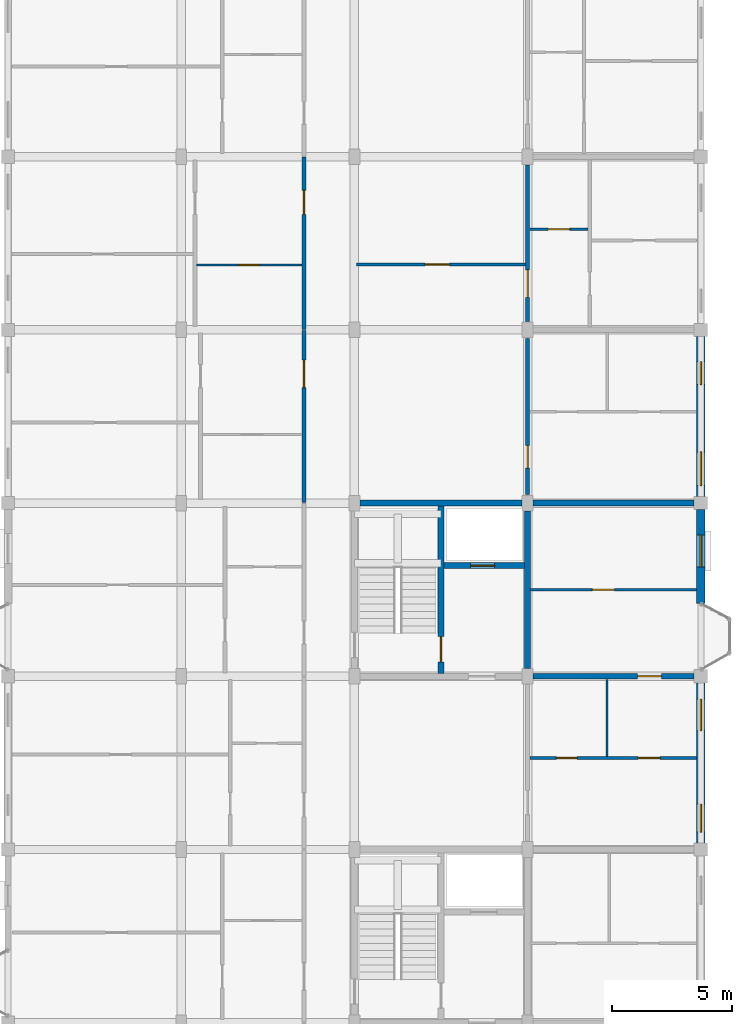
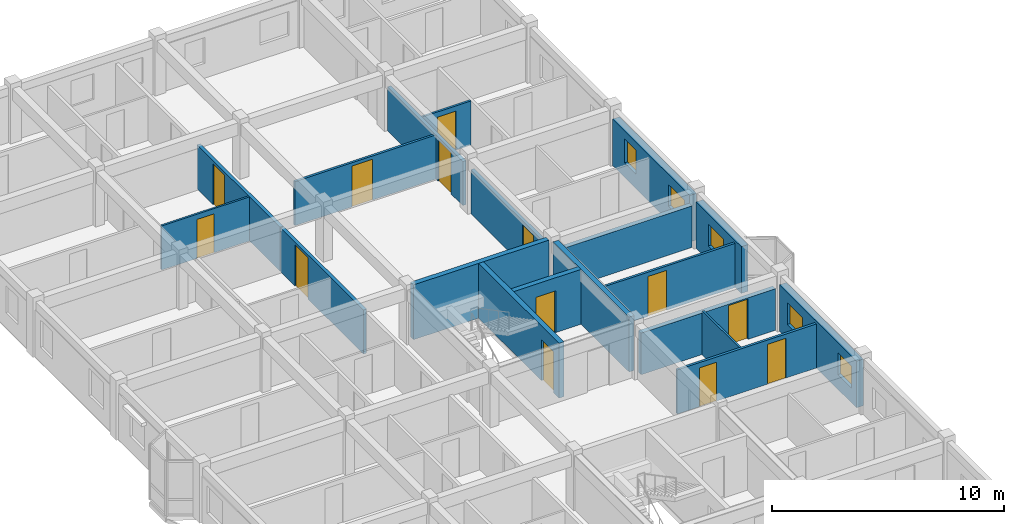
# One storey, part 63 of 77: 19 walls, 13 doors, 5 windows, 18 openings.
"""IFC4 building model written with IfcOpenShell, lengths in metres."""

from ifc_helpers import new_model, si_unit, direction, frame, frame_2d, origin, place, context, subcontext, project, spatial, rectangle, extrude, material, layer, layer_set, type_object, element, fill, save


model = new_model("IFC4")

# Units and contexts
model_context = context("Model", 3, precision=1e-05, world=origin(), true_north=direction((0.0, 1.0)))
body_context = subcontext(model_context, "Body", "Model", "MODEL_VIEW")
ifc_project = project(units=[si_unit("LENGTHUNIT", "METRE"), si_unit("AREAUNIT", "SQUARE_METRE"), si_unit("VOLUMEUNIT", "CUBIC_METRE"), si_unit("PLANEANGLEUNIT", "RADIAN"), si_unit("MASSUNIT", "GRAM", prefix="KILO"), si_unit("THERMODYNAMICTEMPERATUREUNIT", "KELVIN"), si_unit("POWERUNIT", "WATT")], contexts=[model_context])

# Site, building, storey
site_placement = place(None, origin())
site = spatial("IfcSite", under=ifc_project, at=site_placement, CompositionType="ELEMENT")
building_placement = place(site_placement, origin())
building = spatial("IfcBuilding", under=site, at=building_placement, Name="Tavuni Mirador Residences", CompositionType="ELEMENT")
storey_placement = place(building_placement, frame((0.0, 0.0, 17.10009765625)))
storey = spatial("IfcBuildingStorey", under=building, at=storey_placement, Name="L05", CompositionType="ELEMENT", Elevation=17.10009765625)

# Walls
ifc_material_1 = material(Name="Precast concrete C40/50", Category="concrete")
ifc_layer_1 = layer(ifc_material_1, 0.25, Name="Precast concrete C40/50", Category="concrete")
ifc_layer_set_1 = layer_set([ifc_layer_1], Name="Precast concrete C40/50")
wall_type_1 = type_object("IfcWallType", Name="WT-COR250", PredefinedType="SHEAR", material=ifc_layer_set_1)
wall_1_placement = place(storey_placement, frame((104.625, 115.199951171875, 0.0), z_axis=(0.0, 0.0, 1.0), x_axis=(1.0, 0.0, 0.0)))
element("IfcWall", 1, at=wall_1_placement, inside=storey, type_object=wall_type_1, Name="CWALL-C8-L05-N", PredefinedType="SHEAR", context=body_context, shape_type="SweptSolid", body=[
    extrude(rectangle(XDim=6.75, YDim=0.25, at=frame_2d((3.375, 0.0))), origin(), (0.0, 0.0, 1.0), 2.889892578125),
])
wall_2_placement = place(storey_placement, frame((111.60009765625, 108.324951171875, 0.0), z_axis=(0.0, 0.0, 1.0), x_axis=(0.0, 1.0, 0.0)))
element("IfcWall", 2, at=wall_2_placement, inside=storey, type_object=wall_type_1, Name="CWALL-C8-L05-E", PredefinedType="SHEAR", context=body_context, shape_type="SweptSolid", body=[
    extrude(rectangle(XDim=6.550048828125, YDim=0.25, at=frame_2d((3.27490234375, 0.0))), origin(), (0.0, 0.0, 1.0), 2.889892578125),
])

# Wall, opening, door
wall_3_placement = place(storey_placement, frame((108.0, 108.125, 0.0), z_axis=(0.0, 0.0, 1.0), x_axis=(0.0, 1.0, 0.0)))
wall_3 = element("IfcWall", 3, at=wall_3_placement, inside=storey, type_object=wall_type_1, Name="CWALL-C8-L05-MID", PredefinedType="SHEAR", context=body_context, shape_type="SweptSolid", body=[
    extrude(rectangle(XDim=6.949951171875, YDim=0.25, at=frame_2d((3.47509765625, 0.0))), origin(), (0.0, 0.0, 1.0), 2.889892578125),
])
opening_1_placement = place(wall_3_placement, frame((0.47509765625, 0.0, 0.0)))
opening_1 = element("IfcOpeningElement", 4, at=opening_1_placement, cuts=wall_3, Name="Opening D-01", PredefinedType="OPENING", context=body_context, shape_type="SweptSolid", body=[
    extrude(rectangle(XDim=1.050048828125, YDim=2.14990234375, at=frame_2d((0.52490234375, 1.074951171875))), frame((0.0, 0.135009765625, 0.0), z_axis=(0.0, -1.0, 0.0), x_axis=(1.0, 0.0, 0.0)), (0.0, 0.0, 1.0), 0.27001953125),
])
ifc_material_2 = material(Name="Solid core iroko timber", Category="wood")
door_type_1 = type_object("IfcDoorType", Name="DT-ST1050", OperationType="NOTDEFINED", PredefinedType="DOOR", material=ifc_material_2)
door_1_placement = place(opening_1_placement, origin())
door_1 = element("IfcDoor", 5, at=door_1_placement, inside=storey, type_object=door_type_1, Name="DR-2335", OperationType="SINGLE_SWING_LEFT", OverallHeight=2.14990234375, OverallWidth=1.050048828125, PredefinedType="DOOR", context=body_context, shape_type="SweptSolid", body=[
    extrude(rectangle(XDim=1.050048828125, YDim=2.14990234375, at=frame_2d((0.52490234375, 1.074951171875))), frame((0.0, 0.02490234375, 0.0), z_axis=(0.0, -1.0, 0.0), x_axis=(1.0, 0.0, 0.0)), (0.0, 0.0, 1.0), 0.050048828125),
])
fill(opening_1, door_1)

wall_4_placement = place(storey_placement, frame((108.125, 112.60009765625, 0.0), z_axis=(0.0, 0.0, 1.0), x_axis=(1.0, 0.0, 0.0)))
wall_4 = element("IfcWall", 6, at=wall_4_placement, inside=storey, type_object=wall_type_1, Name="CWALL-C8-L05-SHF", PredefinedType="SHEAR", context=body_context, shape_type="SweptSolid", body=[
    extrude(rectangle(XDim=3.35009765625, YDim=0.25, at=frame_2d((1.675048828125, 0.0))), origin(), (0.0, 0.0, 1.0), 2.889892578125),
])
opening_2_placement = place(wall_4_placement, frame((1.10009765625, 0.0, 0.0)))
opening_2 = element("IfcOpeningElement", 7, at=opening_2_placement, cuts=wall_4, Name="Opening LD-02", PredefinedType="OPENING", context=body_context, shape_type="SweptSolid", body=[
    extrude(rectangle(XDim=1.0, YDim=2.199951171875, at=frame_2d((0.5, 1.10009765625))), frame((0.0, 0.135009765625, 0.0), z_axis=(0.0, -1.0, 0.0), x_axis=(1.0, 0.0, 0.0)), (0.0, 0.0, 1.0), 0.27001953125),
])
ifc_material_3 = material(Name="Structural steel S355", Category="steel")
door_type_2 = type_object("IfcDoorType", Name="DT-LD-PAX", OperationType="SLIDING_TO_LEFT", PredefinedType="DOOR", material=ifc_material_3)
door_2_placement = place(opening_2_placement, origin())
door_2 = element("IfcDoor", 8, at=door_2_placement, inside=storey, type_object=door_type_2, Name="Lift landing door PL-D1 L05", OperationType="SLIDING_TO_LEFT", OverallHeight=2.199951171875, OverallWidth=1.0, PredefinedType="DOOR", context=body_context, shape_type="SweptSolid", body=[
    extrude(rectangle(XDim=1.0, YDim=2.199951171875, at=frame_2d((0.5, 1.10009765625))), frame((0.0, 0.02490234375, 0.0), z_axis=(0.0, -1.0, 0.0), x_axis=(1.0, 0.0, 0.0)), (0.0, 0.0, 1.0), 0.050048828125),
])
fill(opening_2, door_2)

ifc_layer_2 = layer(ifc_material_1, 0.1650390625, Name="Precast concrete C40/50", Category="concrete")
ifc_layer_set_2 = layer_set([ifc_layer_2], Name="Precast concrete C40/50")
wall_type_2 = type_object("IfcWallType", Name="WT-CORR165", PredefinedType="PARTITIONING", material=ifc_layer_set_2)
wall_5_placement = place(storey_placement, frame((102.300048828125, 115.219970703125, 0.0), z_axis=(0.0, 0.0, 1.0), x_axis=(0.0, 1.0, 0.0)))
wall_5 = element("IfcWall", 9, at=wall_5_placement, inside=storey, type_object=wall_type_2, Name="CORW-BLK-D-L05-0-04", PredefinedType="PARTITIONING", context=body_context, shape_type="SweptSolid", body=[
    extrude(rectangle(XDim=7.159912109375, YDim=0.1650390625, at=frame_2d((3.580078125, 0.0))), origin(), (0.0, 0.0, 1.0), 2.324951171875),
])
opening_3_placement = place(wall_5_placement, frame((4.780029296875, 0.0, 0.0)))
opening_3 = element("IfcOpeningElement", 10, at=opening_3_placement, cuts=wall_5, Name="Opening D-20", PredefinedType="OPENING", context=body_context, shape_type="SweptSolid", body=[
    extrude(rectangle(XDim=1.139892578125, YDim=2.179931640625, at=frame_2d((0.56982421875, 1.08984375))), frame((0.0, 0.092529296875, 0.0), z_axis=(0.0, -1.0, 0.0), x_axis=(1.0, 0.0, 0.0)), (0.0, 0.0, 1.0), 0.18505859375),
])
door_type_3 = type_object("IfcDoorType", Name="DT-FD60-1140", OperationType="NOTDEFINED", PredefinedType="DOOR", material=ifc_material_2)
door_3_placement = place(opening_3_placement, origin())
door_3 = element("IfcDoor", 11, at=door_3_placement, inside=storey, type_object=door_type_3, Name="DR-2873", OperationType="SINGLE_SWING_RIGHT", OverallHeight=2.179931640625, OverallWidth=1.139892578125, PredefinedType="DOOR", context=body_context, shape_type="SweptSolid", body=[
    extrude(rectangle(XDim=1.139892578125, YDim=2.179931640625, at=frame_2d((0.56982421875, 1.08984375))), frame((0.0, 0.02490234375, 0.0), z_axis=(0.0, -1.0, 0.0), x_axis=(1.0, 0.0, 0.0)), (0.0, 0.0, 1.0), 0.050048828125),
])
fill(opening_3, door_3)

wall_6_placement = place(storey_placement, frame((102.300048828125, 122.419921875, 0.0), z_axis=(0.0, 0.0, 1.0), x_axis=(0.0, 1.0, 0.0)))
wall_6 = element("IfcWall", 12, at=wall_6_placement, inside=storey, type_object=wall_type_2, Name="CORW-BLK-D-L05-0-05", PredefinedType="PARTITIONING", context=body_context, shape_type="SweptSolid", body=[
    extrude(rectangle(XDim=7.16015625, YDim=0.1650390625, at=frame_2d((3.580078125, 0.0))), origin(), (0.0, 0.0, 1.0), 2.324951171875),
])
opening_4_placement = place(wall_6_placement, frame((4.780029296875, 0.0, 0.0)))
opening_4 = element("IfcOpeningElement", 13, at=opening_4_placement, cuts=wall_6, Name="Opening D-03", PredefinedType="OPENING", context=body_context, shape_type="SweptSolid", body=[
    extrude(rectangle(XDim=1.0, YDim=2.14990234375, at=frame_2d((0.5, 1.074951171875))), frame((0.0, 0.092529296875, 0.0), z_axis=(0.0, -1.0, 0.0), x_axis=(1.0, 0.0, 0.0)), (0.0, 0.0, 1.0), 0.18505859375),
])
door_type_4 = type_object("IfcDoorType", Name="DT-FD60-1000", OperationType="NOTDEFINED", PredefinedType="DOOR", material=ifc_material_2)
door_4_placement = place(opening_4_placement, origin())
door_4 = element("IfcDoor", 14, at=door_4_placement, inside=storey, type_object=door_type_4, Name="DR-2874", OperationType="SINGLE_SWING_LEFT", OverallHeight=2.14990234375, OverallWidth=1.0, PredefinedType="DOOR", context=body_context, shape_type="SweptSolid", body=[
    extrude(rectangle(XDim=1.0, YDim=2.14990234375, at=frame_2d((0.5, 1.074951171875))), frame((0.0, 0.02490234375, 0.0), z_axis=(0.0, -1.0, 0.0), x_axis=(1.0, 0.0, 0.0)), (0.0, 0.0, 1.0), 0.050048828125),
])
fill(opening_4, door_4)

wall_7_placement = place(storey_placement, frame((111.60009765625, 115.550048828125, 0.0), z_axis=(0.0, 0.0, 1.0), x_axis=(0.0, 1.0, 0.0)))
wall_7 = element("IfcWall", 15, at=wall_7_placement, inside=storey, type_object=wall_type_2, Name="CORW-BLK-D-L05-1-04", PredefinedType="PARTITIONING", context=body_context, shape_type="SweptSolid", body=[
    extrude(rectangle(XDim=6.5, YDim=0.1650390625, at=frame_2d((3.25, 0.0))), origin(), (0.0, 0.0, 1.0), 2.324951171875),
])
opening_5_placement = place(wall_7_placement, frame((1.10009765625, 0.0, 0.0)))
opening_5 = element("IfcOpeningElement", 16, at=opening_5_placement, cuts=wall_7, Name="Opening D-19", PredefinedType="OPENING", context=body_context, shape_type="SweptSolid", body=[
    extrude(rectangle(XDim=0.93994140625, YDim=2.1201171875, at=frame_2d((0.469970703125, 1.06005859375))), frame((0.0, 0.092529296875, 0.0), z_axis=(0.0, -1.0, 0.0), x_axis=(1.0, 0.0, 0.0)), (0.0, 0.0, 1.0), 0.18505859375),
])
door_type_5 = type_object("IfcDoorType", Name="DT-FD60-940", OperationType="NOTDEFINED", PredefinedType="DOOR", material=ifc_material_2)
door_5_placement = place(opening_5_placement, origin())
door_5 = element("IfcDoor", 17, at=door_5_placement, inside=storey, type_object=door_type_5, Name="DR-2878", OperationType="SINGLE_SWING_LEFT", OverallHeight=2.1201171875, OverallWidth=0.93994140625, PredefinedType="DOOR", context=body_context, shape_type="SweptSolid", body=[
    extrude(rectangle(XDim=0.93994140625, YDim=2.1201171875, at=frame_2d((0.469970703125, 1.06005859375))), frame((0.0, 0.02490234375, 0.0), z_axis=(0.0, -1.0, 0.0), x_axis=(1.0, 0.0, 0.0)), (0.0, 0.0, 1.0), 0.050048828125),
])
fill(opening_5, door_5)

wall_8_placement = place(storey_placement, frame((111.60009765625, 122.75, 0.0), z_axis=(0.0, 0.0, 1.0), x_axis=(0.0, 1.0, 0.0)))
wall_8 = element("IfcWall", 18, at=wall_8_placement, inside=storey, type_object=wall_type_2, Name="CORW-BLK-D-L05-1-05", PredefinedType="PARTITIONING", context=body_context, shape_type="SweptSolid", body=[
    extrude(rectangle(XDim=6.5, YDim=0.1650390625, at=frame_2d((3.25, 0.0))), origin(), (0.0, 0.0, 1.0), 2.324951171875),
])
opening_6_placement = place(wall_8_placement, frame((1.0, 0.0, 0.0)))
opening_6 = element("IfcOpeningElement", 19, at=opening_6_placement, cuts=wall_8, Name="Opening D-20", PredefinedType="OPENING", context=body_context, shape_type="SweptSolid", body=[
    extrude(rectangle(XDim=1.139892578125, YDim=2.179931640625, at=frame_2d((0.56982421875, 1.08984375))), frame((0.0, 0.092529296875, 0.0), z_axis=(0.0, -1.0, 0.0), x_axis=(1.0, 0.0, 0.0)), (0.0, 0.0, 1.0), 0.18505859375),
])
door_6_placement = place(opening_6_placement, origin())
door_6 = element("IfcDoor", 20, at=door_6_placement, inside=storey, type_object=door_type_3, Name="DR-2879", OperationType="SINGLE_SWING_RIGHT", OverallHeight=2.179931640625, OverallWidth=1.139892578125, PredefinedType="DOOR", context=body_context, shape_type="SweptSolid", body=[
    extrude(rectangle(XDim=1.139892578125, YDim=2.179931640625, at=frame_2d((0.56982421875, 1.08984375))), frame((0.0, 0.02490234375, 0.0), z_axis=(0.0, -1.0, 0.0), x_axis=(1.0, 0.0, 0.0)), (0.0, 0.0, 1.0), 0.050048828125),
])
fill(opening_6, door_6)

# Wall, openings, windows
ifc_material_4 = material(Name="Sgraffito lime-rendered precast concrete C40/50", Category="concrete")
ifc_layer_3 = layer(ifc_material_4, 0.344970703125, Name="Sgraffito lime-rendered precast concrete C40/50", Category="concrete")
ifc_layer_set_3 = layer_set([ifc_layer_3], Name="Sgraffito lime-rendered precast concrete C40/50")
wall_type_3 = type_object("IfcWallType", Name="WT-EXT-PTY345", PredefinedType="SOLIDWALL", material=ifc_layer_set_3)
wall_9_placement = place(storey_placement, frame((118.800048828125, 101.074951171875, 0.0), z_axis=(0.0, 0.0, 1.0), x_axis=(0.0, 1.0, 0.0)))
wall_9 = element("IfcWall", 21, at=wall_9_placement, inside=storey, type_object=wall_type_3, Name="EW-BLK-D-L05-E02", PredefinedType="SOLIDWALL", context=body_context, shape_type="SweptSolid", body=[
    extrude(rectangle(XDim=6.650146484375, YDim=0.344970703125, at=frame_2d((3.3251953125, 0.0))), origin(), (0.0, 0.0, 1.0), 2.4599609375),
])
opening_7_placement = place(wall_9_placement, frame((0.449951171875, 0.0, 0.780029296875)))
opening_7 = element("IfcOpeningElement", 22, at=opening_7_placement, cuts=wall_9, Name="Opening WN-05", PredefinedType="OPENING", context=body_context, shape_type="SweptSolid", body=[
    extrude(rectangle(XDim=1.159912109375, YDim=1.14990234375, at=frame_2d((0.580078125, 0.574951171875))), frame((0.0, 0.1826171875, 0.0), z_axis=(0.0, -1.0, 0.0), x_axis=(1.0, 0.0, 0.0)), (0.0, 0.0, 1.0), 0.364990234375),
])
opening_8_placement = place(wall_9_placement, frame((4.64990234375, 0.0, 0.780029296875)))
opening_8 = element("IfcOpeningElement", 23, at=opening_8_placement, cuts=wall_9, Name="Opening WN-07", PredefinedType="OPENING", context=body_context, shape_type="SweptSolid", body=[
    extrude(rectangle(XDim=1.320068359375, YDim=1.14990234375, at=frame_2d((0.66015625, 0.574951171875))), frame((0.0, 0.1826171875, 0.0), z_axis=(0.0, -1.0, 0.0), x_axis=(1.0, 0.0, 0.0)), (0.0, 0.0, 1.0), 0.364990234375),
])
ifc_material_5 = material(Name="Laminated solar-control glass", Category="glass")
window_type_1 = type_object("IfcWindowType", Name="WNT-05", PartitioningType="SINGLE_PANEL", PredefinedType="WINDOW", material=ifc_material_5)
window_1_placement = place(opening_7_placement, origin())
window_1 = element("IfcWindow", 24, at=window_1_placement, inside=storey, type_object=window_type_1, Name="WIN-1619", OverallHeight=1.14990234375, OverallWidth=1.159912109375, PartitioningType="SINGLE_PANEL", PredefinedType="WINDOW", context=body_context, shape_type="SweptSolid", body=[
    extrude(rectangle(XDim=1.159912109375, YDim=1.14990234375, at=frame_2d((0.580078125, 0.574951171875))), frame((0.0, 0.030029296875, 0.0), z_axis=(0.0, -1.0, 0.0), x_axis=(1.0, 0.0, 0.0)), (0.0, 0.0, 1.0), 0.06005859375),
])
fill(opening_7, window_1)
window_type_2 = type_object("IfcWindowType", Name="WNT-07", PartitioningType="SINGLE_PANEL", PredefinedType="WINDOW", material=ifc_material_5)
window_2_placement = place(opening_8_placement, origin())
window_2 = element("IfcWindow", 25, at=window_2_placement, inside=storey, type_object=window_type_2, Name="WIN-1620", OverallHeight=1.14990234375, OverallWidth=1.320068359375, PartitioningType="SINGLE_PANEL", PredefinedType="WINDOW", context=body_context, shape_type="SweptSolid", body=[
    extrude(rectangle(XDim=1.320068359375, YDim=1.14990234375, at=frame_2d((0.66015625, 0.574951171875))), frame((0.0, 0.030029296875, 0.0), z_axis=(0.0, -1.0, 0.0), x_axis=(1.0, 0.0, 0.0)), (0.0, 0.0, 1.0), 0.06005859375),
])
fill(opening_8, window_2)

# Wall, opening, window
wall_10_placement = place(storey_placement, frame((118.800048828125, 111.02001953125, 0.0), z_axis=(0.0, 0.0, 1.0), x_axis=(0.0, 1.0, 0.0)))
wall_10 = element("IfcWall", 26, at=wall_10_placement, inside=storey, type_object=wall_type_3, Name="EW-BLK-D-L05-E03", PredefinedType="SOLIDWALL", context=body_context, shape_type="SweptSolid", body=[
    extrude(rectangle(XDim=3.905029296875, YDim=0.344970703125, at=frame_2d((1.95263671875, 0.0))), origin(), (0.0, 0.0, 1.0), 2.4599609375),
])
opening_9_placement = place(wall_10_placement, frame((1.527587890625, 0.0, 0.780029296875)))
opening_9 = element("IfcOpeningElement", 27, at=opening_9_placement, cuts=wall_10, Name="Opening WN-07", PredefinedType="OPENING", context=body_context, shape_type="SweptSolid", body=[
    extrude(rectangle(XDim=1.320068359375, YDim=1.14990234375, at=frame_2d((0.66015625, 0.574951171875))), frame((0.0, 0.1826171875, 0.0), z_axis=(0.0, -1.0, 0.0), x_axis=(1.0, 0.0, 0.0)), (0.0, 0.0, 1.0), 0.364990234375),
])
window_3_placement = place(opening_9_placement, origin())
window_3 = element("IfcWindow", 28, at=window_3_placement, inside=storey, type_object=window_type_2, Name="WIN-1621", OverallHeight=1.14990234375, OverallWidth=1.320068359375, PartitioningType="SINGLE_PANEL", PredefinedType="WINDOW", context=body_context, shape_type="SweptSolid", body=[
    extrude(rectangle(XDim=1.320068359375, YDim=1.14990234375, at=frame_2d((0.66015625, 0.574951171875))), frame((0.0, 0.030029296875, 0.0), z_axis=(0.0, -1.0, 0.0), x_axis=(1.0, 0.0, 0.0)), (0.0, 0.0, 1.0), 0.06005859375),
])
fill(opening_9, window_3)

# Wall, openings, windows
wall_11_placement = place(storey_placement, frame((118.800048828125, 115.47509765625, 0.0), z_axis=(0.0, 0.0, 1.0), x_axis=(0.0, 1.0, 0.0)))
wall_11 = element("IfcWall", 29, at=wall_11_placement, inside=storey, type_object=wall_type_3, Name="EW-BLK-D-L05-E04", PredefinedType="SOLIDWALL", context=body_context, shape_type="SweptSolid", body=[
    extrude(rectangle(XDim=6.64990234375, YDim=0.344970703125, at=frame_2d((3.324951171875, 0.0))), origin(), (0.0, 0.0, 1.0), 2.4599609375),
])
opening_10_placement = place(wall_11_placement, frame((0.449951171875, 0.0, 0.780029296875)))
opening_10 = element("IfcOpeningElement", 30, at=opening_10_placement, cuts=wall_11, Name="Opening WN-08", PredefinedType="OPENING", context=body_context, shape_type="SweptSolid", body=[
    extrude(rectangle(XDim=1.39990234375, YDim=1.14990234375, at=frame_2d((0.699951171875, 0.574951171875))), frame((0.0, 0.1826171875, 0.0), z_axis=(0.0, -1.0, 0.0), x_axis=(1.0, 0.0, 0.0)), (0.0, 0.0, 1.0), 0.364990234375),
])
opening_11_placement = place(wall_11_placement, frame((4.64990234375, 0.0, 0.780029296875)))
opening_11 = element("IfcOpeningElement", 31, at=opening_11_placement, cuts=wall_11, Name="Opening WN-10", PredefinedType="OPENING", context=body_context, shape_type="SweptSolid", body=[
    extrude(rectangle(XDim=0.9599609375, YDim=1.260009765625, at=frame_2d((0.47998046875, 0.6298828125))), frame((0.0, 0.1826171875, 0.0), z_axis=(0.0, -1.0, 0.0), x_axis=(1.0, 0.0, 0.0)), (0.0, 0.0, 1.0), 0.364990234375),
])
window_type_3 = type_object("IfcWindowType", Name="WNT-08", PartitioningType="SINGLE_PANEL", PredefinedType="WINDOW", material=ifc_material_5)
window_4_placement = place(opening_10_placement, origin())
window_4 = element("IfcWindow", 32, at=window_4_placement, inside=storey, type_object=window_type_3, Name="WIN-1622", OverallHeight=1.14990234375, OverallWidth=1.39990234375, PartitioningType="SINGLE_PANEL", PredefinedType="WINDOW", context=body_context, shape_type="SweptSolid", body=[
    extrude(rectangle(XDim=1.39990234375, YDim=1.14990234375, at=frame_2d((0.699951171875, 0.574951171875))), frame((0.0, 0.030029296875, 0.0), z_axis=(0.0, -1.0, 0.0), x_axis=(1.0, 0.0, 0.0)), (0.0, 0.0, 1.0), 0.06005859375),
])
fill(opening_10, window_4)
window_type_4 = type_object("IfcWindowType", Name="WNT-10", PartitioningType="SINGLE_PANEL", PredefinedType="WINDOW", material=ifc_material_5)
window_5_placement = place(opening_11_placement, origin())
window_5 = element("IfcWindow", 33, at=window_5_placement, inside=storey, type_object=window_type_4, Name="WIN-1623", OverallHeight=1.260009765625, OverallWidth=0.9599609375, PartitioningType="SINGLE_PANEL", PredefinedType="WINDOW", context=body_context, shape_type="SweptSolid", body=[
    extrude(rectangle(XDim=0.9599609375, YDim=1.260009765625, at=frame_2d((0.47998046875, 0.6298828125))), frame((0.0, 0.030029296875, 0.0), z_axis=(0.0, -1.0, 0.0), x_axis=(1.0, 0.0, 0.0)), (0.0, 0.0, 1.0), 0.06005859375),
])
fill(opening_11, window_5)

# Wall
ifc_material_6 = material(Name="Acoustic gypsum and concrete block partition", Category="concrete")
ifc_layer_4 = layer(ifc_material_6, 0.094970703125, Name="Acoustic gypsum and concrete block partition", Category="concrete")
ifc_layer_set_4 = layer_set([ifc_layer_4], Name="Acoustic gypsum and concrete block partition")
wall_type_4 = type_object("IfcWallType", Name="WT-PART095", PredefinedType="PARTITIONING", material=ifc_layer_set_4)
wall_12_placement = place(storey_placement, frame((114.89990234375, 104.669921875, 0.0), z_axis=(0.0, 0.0, 1.0), x_axis=(0.0, 1.0, 0.0)))
element("IfcWall", 34, at=wall_12_placement, inside=storey, type_object=wall_type_4, Name="PW-BLK-D-L05-PF02-V", PredefinedType="PARTITIONING", context=body_context, shape_type="SweptSolid", body=[
    extrude(rectangle(XDim=3.190185546875, YDim=0.094970703125, at=frame_2d((1.59521484375, 0.0))), origin(), (0.0, 0.0, 1.0), 2.324951171875),
])

# Wall, opening, door
wall_13_placement = place(storey_placement, frame((97.840087890625, 125.10009765625, 0.0), z_axis=(0.0, 0.0, 1.0), x_axis=(1.0, 0.0, 0.0)))
wall_13 = element("IfcWall", 35, at=wall_13_placement, inside=storey, type_object=wall_type_4, Name="PW-BLK-D-L05-W05-IN1", PredefinedType="PARTITIONING", context=body_context, shape_type="SweptSolid", body=[
    extrude(rectangle(XDim=4.369873046875, YDim=0.094970703125, at=frame_2d((2.18505859375, 0.0))), origin(), (0.0, 0.0, 1.0), 2.324951171875),
])
opening_12_placement = place(wall_13_placement, frame((1.75, 0.0, 0.0)))
opening_12 = element("IfcOpeningElement", 36, at=opening_12_placement, cuts=wall_13, Name="Opening D-10", PredefinedType="OPENING", context=body_context, shape_type="SweptSolid", body=[
    extrude(rectangle(XDim=0.8701171875, YDim=2.050048828125, at=frame_2d((0.43505859375, 1.02490234375))), frame((0.0, 0.0576171875, 0.0), z_axis=(0.0, -1.0, 0.0), x_axis=(1.0, 0.0, 0.0)), (0.0, 0.0, 1.0), 0.114990234375),
])
door_type_6 = type_object("IfcDoorType", Name="DT-WC870", OperationType="NOTDEFINED", PredefinedType="DOOR", material=ifc_material_2)
door_7_placement = place(opening_12_placement, origin())
door_7 = element("IfcDoor", 37, at=door_7_placement, inside=storey, type_object=door_type_6, Name="DR-4498", OperationType="SINGLE_SWING_LEFT", OverallHeight=2.050048828125, OverallWidth=0.8701171875, PredefinedType="DOOR", context=body_context, shape_type="SweptSolid", body=[
    extrude(rectangle(XDim=0.8701171875, YDim=2.050048828125, at=frame_2d((0.43505859375, 1.02490234375))), frame((0.0, 0.02490234375, 0.0), z_axis=(0.0, -1.0, 0.0), x_axis=(1.0, 0.0, 0.0)), (0.0, 0.0, 1.0), 0.050048828125),
])
fill(opening_12, door_7)

ifc_layer_5 = layer(ifc_material_6, 0.10498046875, Name="Acoustic gypsum and concrete block partition", Category="concrete")
ifc_layer_set_5 = layer_set([ifc_layer_5], Name="Acoustic gypsum and concrete block partition")
wall_type_5 = type_object("IfcWallType", Name="WT-PART105", PredefinedType="PARTITIONING", material=ifc_layer_set_5)
wall_14_placement = place(storey_placement, frame((111.68994140625, 126.580078125, 0.0), z_axis=(0.0, 0.0, 1.0), x_axis=(1.0, 0.0, 0.0)))
wall_14 = element("IfcWall", 38, at=wall_14_placement, inside=storey, type_object=wall_type_5, Name="PW-BLK-D-L05-E05-IN1", PredefinedType="PARTITIONING", context=body_context, shape_type="SweptSolid", body=[
    extrude(rectangle(XDim=2.420166015625, YDim=0.10498046875, at=frame_2d((1.2099609375, 0.0))), origin(), (0.0, 0.0, 1.0), 2.324951171875),
])
opening_13_placement = place(wall_14_placement, frame((0.760009765625, 0.0, 0.0)))
opening_13 = element("IfcOpeningElement", 39, at=opening_13_placement, cuts=wall_14, Name="Opening D-09", PredefinedType="OPENING", context=body_context, shape_type="SweptSolid", body=[
    extrude(rectangle(XDim=0.89990234375, YDim=2.050048828125, at=frame_2d((0.449951171875, 1.02490234375))), frame((0.0, 0.0625, 0.0), z_axis=(0.0, -1.0, 0.0), x_axis=(1.0, 0.0, 0.0)), (0.0, 0.0, 1.0), 0.125),
])
door_type_7 = type_object("IfcDoorType", Name="DT-WC900", OperationType="NOTDEFINED", PredefinedType="DOOR", material=ifc_material_2)
door_8_placement = place(opening_13_placement, origin())
door_8 = element("IfcDoor", 40, at=door_8_placement, inside=storey, type_object=door_type_7, Name="DR-4501", OperationType="SINGLE_SWING_RIGHT", OverallHeight=2.050048828125, OverallWidth=0.89990234375, PredefinedType="DOOR", context=body_context, shape_type="SweptSolid", body=[
    extrude(rectangle(XDim=0.89990234375, YDim=2.050048828125, at=frame_2d((0.449951171875, 1.02490234375))), frame((0.0, 0.02490234375, 0.0), z_axis=(0.0, -1.0, 0.0), x_axis=(1.0, 0.0, 0.0)), (0.0, 0.0, 1.0), 0.050048828125),
])
fill(opening_13, door_8)

ifc_layer_6 = layer(ifc_material_6, 0.114990234375, Name="Acoustic gypsum and concrete block partition", Category="concrete")
ifc_layer_set_6 = layer_set([ifc_layer_6], Name="Acoustic gypsum and concrete block partition")
wall_type_6 = type_object("IfcWallType", Name="WT-PART115", PredefinedType="PARTITIONING", material=ifc_layer_set_6)
wall_15_placement = place(storey_placement, frame((111.68994140625, 111.60009765625, 0.0), z_axis=(0.0, 0.0, 1.0), x_axis=(1.0, 0.0, 0.0)))
wall_15 = element("IfcWall", 41, at=wall_15_placement, inside=storey, type_object=wall_type_6, Name="PW-BLK-D-L05-PF03-H", PredefinedType="PARTITIONING", context=body_context, shape_type="SweptSolid", body=[
    extrude(rectangle(XDim=6.93505859375, YDim=0.114990234375, at=frame_2d((3.467529296875, 0.0))), origin(), (0.0, 0.0, 1.0), 2.324951171875),
])
opening_14_placement = place(wall_15_placement, frame((2.60009765625, 0.0, 0.0)))
opening_14 = element("IfcOpeningElement", 42, at=opening_14_placement, cuts=wall_15, Name="Opening D-06", PredefinedType="OPENING", context=body_context, shape_type="SweptSolid", body=[
    extrude(rectangle(XDim=0.919921875, YDim=2.10009765625, at=frame_2d((0.4599609375, 1.050048828125))), frame((0.0, 0.0673828125, 0.0), z_axis=(0.0, -1.0, 0.0), x_axis=(1.0, 0.0, 0.0)), (0.0, 0.0, 1.0), 0.135009765625),
])
door_type_8 = type_object("IfcDoorType", Name="DT-INT920", OperationType="NOTDEFINED", PredefinedType="DOOR", material=ifc_material_2)
door_9_placement = place(opening_14_placement, origin())
door_9 = element("IfcDoor", 43, at=door_9_placement, inside=storey, type_object=door_type_8, Name="DR-4490", OperationType="SINGLE_SWING_RIGHT", OverallHeight=2.10009765625, OverallWidth=0.919921875, PredefinedType="DOOR", context=body_context, shape_type="SweptSolid", body=[
    extrude(rectangle(XDim=0.919921875, YDim=2.10009765625, at=frame_2d((0.4599609375, 1.050048828125))), frame((0.0, 0.02490234375, 0.0), z_axis=(0.0, -1.0, 0.0), x_axis=(1.0, 0.0, 0.0)), (0.0, 0.0, 1.0), 0.050048828125),
])
fill(opening_14, door_9)

wall_16_placement = place(storey_placement, frame((104.489990234375, 125.1201171875, 0.0), z_axis=(0.0, 0.0, 1.0), x_axis=(1.0, 0.0, 0.0)))
wall_16 = element("IfcWall", 44, at=wall_16_placement, inside=storey, type_object=wall_type_6, Name="PW-SPN-BLK-D-L05-05", PredefinedType="PARTITIONING", context=body_context, shape_type="SweptSolid", body=[
    extrude(rectangle(XDim=7.02001953125, YDim=0.114990234375, at=frame_2d((3.510009765625, 0.0))), origin(), (0.0, 0.0, 1.0), 2.324951171875),
])
opening_15_placement = place(wall_16_placement, frame((2.85009765625, 0.0, 0.0)))
opening_15 = element("IfcOpeningElement", 45, at=opening_15_placement, cuts=wall_16, Name="Opening D-13", PredefinedType="OPENING", context=body_context, shape_type="SweptSolid", body=[
    extrude(rectangle(XDim=1.02001953125, YDim=2.14990234375, at=frame_2d((0.510009765625, 1.074951171875))), frame((0.0, 0.0673828125, 0.0), z_axis=(0.0, -1.0, 0.0), x_axis=(1.0, 0.0, 0.0)), (0.0, 0.0, 1.0), 0.135009765625),
])
door_type_9 = type_object("IfcDoorType", Name="DT-MTG1020", OperationType="NOTDEFINED", PredefinedType="DOOR", material=ifc_material_2)
door_10_placement = place(opening_15_placement, origin())
door_10 = element("IfcDoor", 46, at=door_10_placement, inside=storey, type_object=door_type_9, Name="DR-4496", OperationType="SINGLE_SWING_LEFT", OverallHeight=2.14990234375, OverallWidth=1.02001953125, PredefinedType="DOOR", context=body_context, shape_type="SweptSolid", body=[
    extrude(rectangle(XDim=1.02001953125, YDim=2.14990234375, at=frame_2d((0.510009765625, 1.074951171875))), frame((0.0, 0.02490234375, 0.0), z_axis=(0.0, -1.0, 0.0), x_axis=(1.0, 0.0, 0.0)), (0.0, 0.0, 1.0), 0.050048828125),
])
fill(opening_15, door_10)

# Wall, openings, doors
ifc_layer_7 = layer(ifc_material_6, 0.125, Name="Acoustic gypsum and concrete block partition", Category="concrete")
ifc_layer_set_7 = layer_set([ifc_layer_7], Name="Acoustic gypsum and concrete block partition")
wall_type_7 = type_object("IfcWallType", Name="WT-PART125", PredefinedType="PARTITIONING", material=ifc_layer_set_7)
wall_17_placement = place(storey_placement, frame((111.68994140625, 104.60009765625, 0.0), z_axis=(0.0, 0.0, 1.0), x_axis=(1.0, 0.0, 0.0)))
wall_17 = element("IfcWall", 47, at=wall_17_placement, inside=storey, type_object=wall_type_7, Name="PW-BLK-D-L05-PF02-H", PredefinedType="PARTITIONING", context=body_context, shape_type="SweptSolid", body=[
    extrude(rectangle(XDim=6.93505859375, YDim=0.125, at=frame_2d((3.467529296875, 0.0))), origin(), (0.0, 0.0, 1.0), 2.324951171875),
])
opening_16_placement = place(wall_17_placement, frame((1.10009765625, 0.0, 0.0)))
opening_16 = element("IfcOpeningElement", 48, at=opening_16_placement, cuts=wall_17, Name="Opening D-10", PredefinedType="OPENING", context=body_context, shape_type="SweptSolid", body=[
    extrude(rectangle(XDim=0.8701171875, YDim=2.050048828125, at=frame_2d((0.43505859375, 1.02490234375))), frame((0.0, 0.072509765625, 0.0), z_axis=(0.0, -1.0, 0.0), x_axis=(1.0, 0.0, 0.0)), (0.0, 0.0, 1.0), 0.14501953125),
])
opening_17_placement = place(wall_17_placement, frame((4.5, 0.0, 0.0)))
opening_17 = element("IfcOpeningElement", 49, at=opening_17_placement, cuts=wall_17, Name="Opening D-06", PredefinedType="OPENING", context=body_context, shape_type="SweptSolid", body=[
    extrude(rectangle(XDim=0.919921875, YDim=2.10009765625, at=frame_2d((0.4599609375, 1.050048828125))), frame((0.0, 0.072509765625, 0.0), z_axis=(0.0, -1.0, 0.0), x_axis=(1.0, 0.0, 0.0)), (0.0, 0.0, 1.0), 0.14501953125),
])
door_11_placement = place(opening_17_placement, origin())
door_11 = element("IfcDoor", 50, at=door_11_placement, inside=storey, type_object=door_type_8, Name="DR-4486", OperationType="SINGLE_SWING_RIGHT", OverallHeight=2.10009765625, OverallWidth=0.919921875, PredefinedType="DOOR", context=body_context, shape_type="SweptSolid", body=[
    extrude(rectangle(XDim=0.919921875, YDim=2.10009765625, at=frame_2d((0.4599609375, 1.050048828125))), frame((0.0, 0.02490234375, 0.0), z_axis=(0.0, -1.0, 0.0), x_axis=(1.0, 0.0, 0.0)), (0.0, 0.0, 1.0), 0.050048828125),
])
fill(opening_17, door_11)
door_12_placement = place(opening_16_placement, origin())
door_12 = element("IfcDoor", 51, at=door_12_placement, inside=storey, type_object=door_type_6, Name="DR-4485", OperationType="SINGLE_SWING_LEFT", OverallHeight=2.050048828125, OverallWidth=0.8701171875, PredefinedType="DOOR", context=body_context, shape_type="SweptSolid", body=[
    extrude(rectangle(XDim=0.8701171875, YDim=2.050048828125, at=frame_2d((0.43505859375, 1.02490234375))), frame((0.0, 0.02490234375, 0.0), z_axis=(0.0, -1.0, 0.0), x_axis=(1.0, 0.0, 0.0)), (0.0, 0.0, 1.0), 0.050048828125),
])
fill(opening_16, door_12)

# Wall, opening, door
ifc_layer_8 = layer(ifc_material_1, 0.235107421875, Name="Precast concrete C40/50", Category="concrete")
ifc_layer_set_8 = layer_set([ifc_layer_8], Name="Precast concrete C40/50")
wall_type_8 = type_object("IfcWallType", Name="WT-XW235", PredefinedType="SOLIDWALL", material=ifc_layer_set_8)
wall_18_placement = place(storey_placement, frame((111.824951171875, 108.0, 0.0), z_axis=(0.0, 0.0, 1.0), x_axis=(1.0, 0.0, 0.0)))
wall_18 = element("IfcWall", 52, at=wall_18_placement, inside=storey, type_object=wall_type_8, Name="XW-BLK-D-L05-E-03", PredefinedType="SOLIDWALL", context=body_context, shape_type="SweptSolid", body=[
    extrude(rectangle(XDim=6.699951171875, YDim=0.235107421875, at=frame_2d((3.35009765625, 0.0))), origin(), (0.0, 0.0, 1.0), 2.18994140625),
])
opening_18_placement = place(wall_18_placement, frame((4.35009765625, 0.0, 0.0)))
opening_18 = element("IfcOpeningElement", 53, at=opening_18_placement, cuts=wall_18, Name="Opening D-04", PredefinedType="OPENING", context=body_context, shape_type="SweptSolid", body=[
    extrude(rectangle(XDim=0.97998046875, YDim=2.1201171875, at=frame_2d((0.489990234375, 1.06005859375))), frame((0.0, 0.12744140625, 0.0), z_axis=(0.0, -1.0, 0.0), x_axis=(1.0, 0.0, 0.0)), (0.0, 0.0, 1.0), 0.255126953125),
])
door_type_10 = type_object("IfcDoorType", Name="DT-FD60-980", OperationType="NOTDEFINED", PredefinedType="DOOR", material=ifc_material_2)
door_13_placement = place(opening_18_placement, origin())
door_13 = element("IfcDoor", 54, at=door_13_placement, inside=storey, type_object=door_type_10, Name="DR-4769", OperationType="SINGLE_SWING_RIGHT", OverallHeight=2.1201171875, OverallWidth=0.97998046875, PredefinedType="DOOR", context=body_context, shape_type="SweptSolid", body=[
    extrude(rectangle(XDim=0.97998046875, YDim=2.1201171875, at=frame_2d((0.489990234375, 1.06005859375))), frame((0.0, 0.02490234375, 0.0), z_axis=(0.0, -1.0, 0.0), x_axis=(1.0, 0.0, 0.0)), (0.0, 0.0, 1.0), 0.050048828125),
])
fill(opening_18, door_13)

# Wall
wall_19_placement = place(storey_placement, frame((111.824951171875, 115.199951171875, 0.0), z_axis=(0.0, 0.0, 1.0), x_axis=(1.0, 0.0, 0.0)))
element("IfcWall", 55, at=wall_19_placement, inside=storey, type_object=wall_type_8, Name="XW-BLK-D-L05-E-04", PredefinedType="SOLIDWALL", context=body_context, shape_type="SweptSolid", body=[
    extrude(rectangle(XDim=6.699951171875, YDim=0.235107421875, at=frame_2d((3.35009765625, 0.0))), origin(), (0.0, 0.0, 1.0), 2.18994140625),
])

save(model, "model.ifc")
